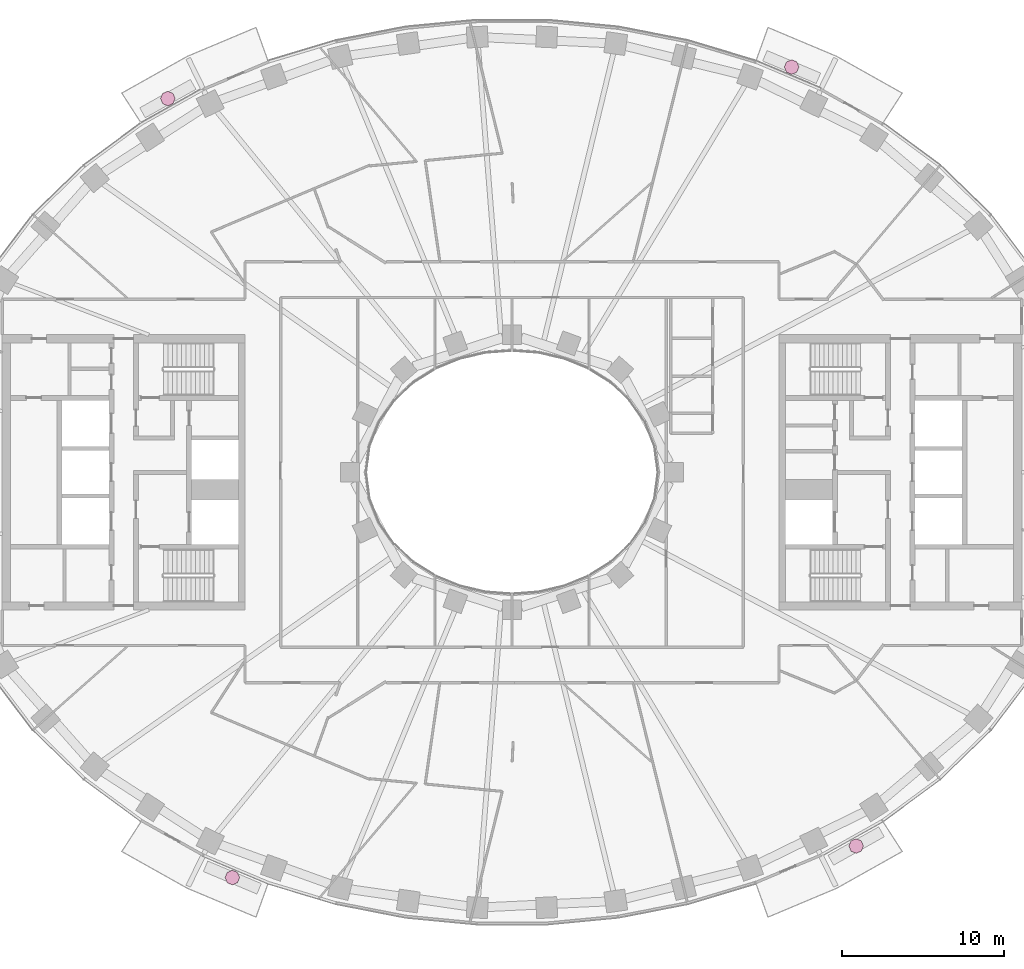
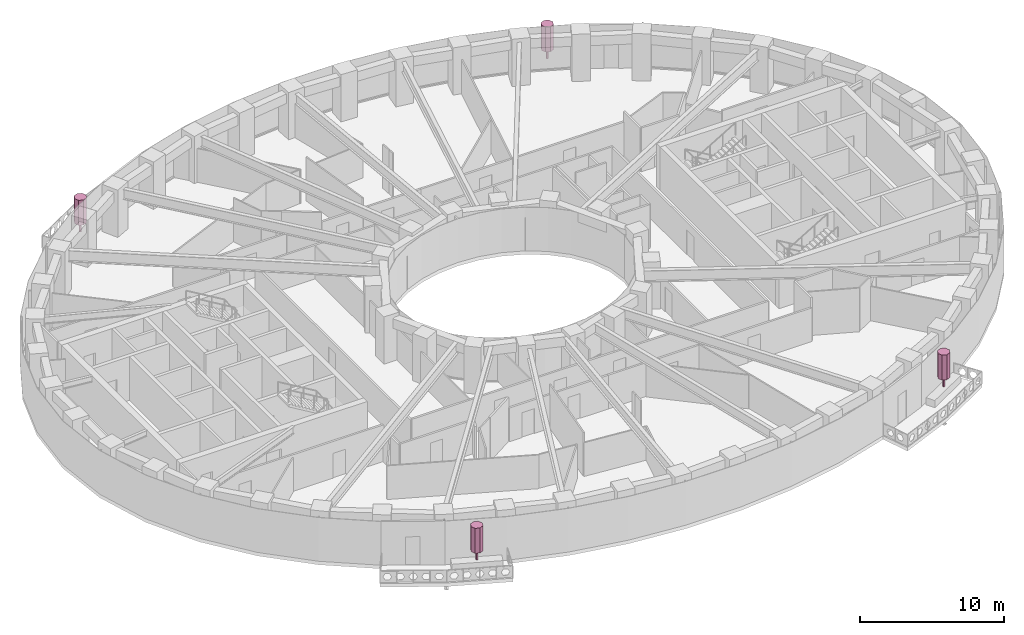
# One storey, part 15 of 15: 4 furnishings.
"""IFC4 building model written with IfcOpenShell, lengths in metres."""

from ifc_helpers import new_model, si_unit, direction, frame, origin, origin_2d, place, context, subcontext, project, spatial, polyline, rectangle, outline, extrude, material, type_object, element, save


model = new_model("IFC4")

# Units and contexts
model_context = context("Model", 3, precision=1e-05, world=origin(), true_north=direction((0.0, 1.0)))
body_context = subcontext(model_context, "Body", "Model", "MODEL_VIEW")
ifc_project = project(units=[si_unit("LENGTHUNIT", "METRE"), si_unit("AREAUNIT", "SQUARE_METRE"), si_unit("VOLUMEUNIT", "CUBIC_METRE"), si_unit("PLANEANGLEUNIT", "RADIAN"), si_unit("MASSUNIT", "GRAM", prefix="KILO")], contexts=[model_context])

# Site, building, storey
site_placement = place(None, origin())
site = spatial("IfcSite", under=ifc_project, at=site_placement, CompositionType="ELEMENT")
building_placement = place(site_placement, origin())
building = spatial("IfcBuilding", under=site, at=building_placement, Name="Noorbagh Ring Tower", CompositionType="ELEMENT")
storey_placement = place(building_placement, frame((0.0, 0.0, 92.0)))
storey = spatial("IfcBuildingStorey", under=building, at=storey_placement, Name="L20", CompositionType="ELEMENT", Elevation=92.0)

# Furnishings
ifc_material = material(Name="Planting foliage green")
furnishing_element_type = type_object("IfcFurnishingElementType", Name="ENV-TREE", material=ifc_material)
for number, where, z_axis, x_axis, name in (
    (1, (17.280517578125, 25.041259765625, 0.60009765625), (0.0, 0.0, 1.0), (1.0, 0.0, 0.0), "Tree BN02"),
    (2, (-21.26513671875, 23.093017578125, 0.60009765625), (0.0, 0.0, 1.0), (1.0, 0.0, 0.0), "Tree BN05"),
    (3, (-17.280517578125, -25.041259765625, 0.60009765625), (0.0, 0.0, 1.0), (1.0, 0.0, 0.0), "Tree BS02"),
    (4, (21.26513671875, -23.093017578125, 0.60009765625), (0.0, 0.0, 1.0), (1.0, 0.0, 0.0), "Tree BS05"),
):
    element("IfcFurnishingElement", number, at=place(storey_placement, frame(where, z_axis=z_axis, x_axis=x_axis)), inside=storey, type_object=furnishing_element_type, Name=name, context=body_context, shape_type="SweptSolid", body=[
        extrude(rectangle(XDim=0.1201171875, YDim=0.1201171875, at=origin_2d()), origin(), (0.0, 0.0, 1.0), 0.825927734375),
        extrude(outline(polyline([(0.449951171875, 0.0), (0.318115234375, 0.318115234375), (0.0, 0.449951171875), (-0.318115234375, 0.318115234375), (-0.449951171875, 0.0), (-0.318115234375, -0.318115234375), (0.0, -0.449951171875), (0.318115234375, -0.318115234375), (0.449951171875, 0.0)])), frame((0.0, 0.0, 0.825927734375)), (0.0, 0.0, 1.0), 2.1240234375),
    ])

save(model, "model.ifc")
